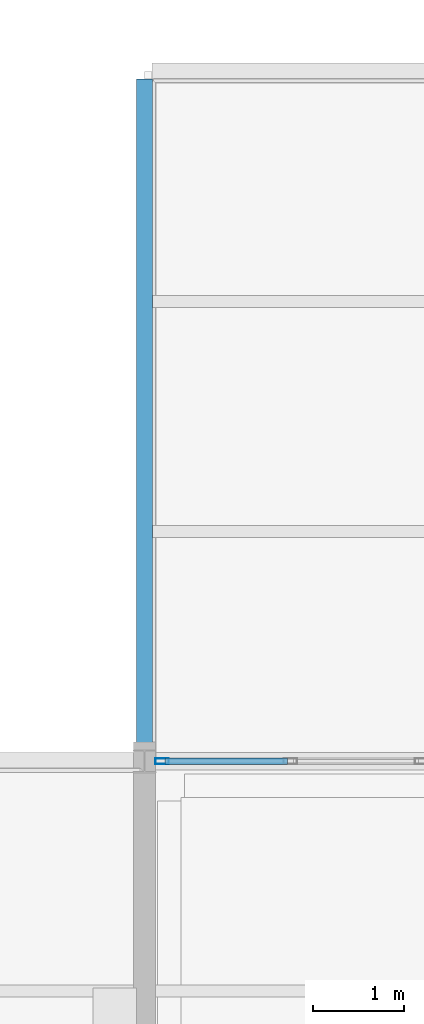
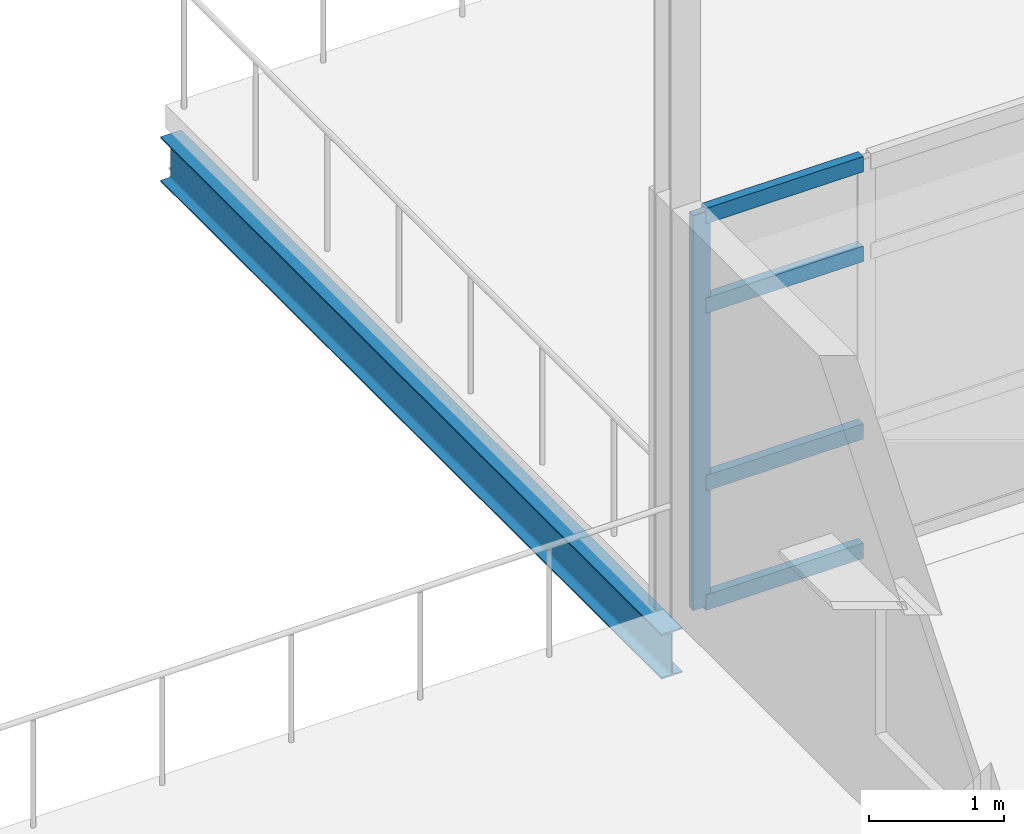
# One storey, part 31 of 96: 5 members, 1 beam, 1 element without a shape of its own.
"""IFC4 building model written with IfcOpenShell, lengths in metres."""

from ifc_helpers import new_model, si_unit, direction, frame, origin, origin_2d, place, context, subcontext, project, spatial, hollow_rectangle, i_section, extrude, material, material_profile, profile_set, type_object, element, aggregate, save


model = new_model("IFC4")

# Units and contexts
model_context = context("Model", 3, precision=1e-05, world=origin(), true_north=direction((0.0, 1.0)))
body_context = subcontext(model_context, "Body", "Model", "MODEL_VIEW")
ifc_project = project(units=[si_unit("LENGTHUNIT", "METRE"), si_unit("AREAUNIT", "SQUARE_METRE"), si_unit("VOLUMEUNIT", "CUBIC_METRE"), si_unit("PLANEANGLEUNIT", "RADIAN"), si_unit("MASSUNIT", "GRAM", prefix="KILO")], contexts=[model_context])

# Site, building, storey
site_placement = place(None, origin())
site = spatial("IfcSite", under=ifc_project, at=site_placement, CompositionType="ELEMENT")
building_placement = place(site_placement, origin())
building = spatial("IfcBuilding", under=site, at=building_placement, Name="Caisbarro Railhouse Central Library", CompositionType="ELEMENT")
storey_placement = place(building_placement, frame((0.0, 0.0, 13.679931640625)))
storey = spatial("IfcBuildingStorey", under=building, at=storey_placement, Name="L03", CompositionType="ELEMENT", Elevation=13.679931640625)

# Beam
ifc_material_1 = material(Name="Steel ASTM A572 Grade 50", Category="steel")
ifc_material_profile_1 = material_profile(ifc_material_1, i_section(OverallWidth=0.177978515625, OverallDepth=0.406982421875, WebThickness=0.0078125, FlangeThickness=0.0126953125, FilletRadius=0.01611328125, at=origin_2d()), Name="W410X60.0")
ifc_profile_set_1 = profile_set([ifc_material_profile_1], Name="Steel ASTM A572 Grade 50")
beam_type = type_object("IfcBeamType", Name="BM-G10", PredefinedType="BEAM", material=ifc_profile_set_1)
beam_placement = place(storey_placement, frame((63.0, 106.47998046875, -0.413330078125), z_axis=(0.0, 1.0, 0.0), x_axis=(-1.0, 0.0, 0.0)))
element("IfcBeam", 1, at=beam_placement, inside=storey, type_object=beam_type, Name="G10 beam L03 #1953", PredefinedType="BEAM", context=body_context, shape_type="SweptSolid", body=[
    extrude(i_section(OverallWidth=0.177978515625, OverallDepth=0.406982421875, WebThickness=0.0078125, FlangeThickness=0.0126953125, FilletRadius=0.01611328125, at=origin_2d()), origin(), (0.0, 0.0, 1.0), 7.43994140625),
])

# Curtain wall, members
ifc_material_2 = material(Name="Anodised architectural aluminium", Category="aluminium")
curtain_wall_type = type_object("IfcCurtainWallType", Name="CW-CW03", PredefinedType="NOTDEFINED", material=ifc_material_2)
curtain_wall_placement = place(storey_placement, origin())
curtain_wall = element("IfcCurtainWall", 2, at=curtain_wall_placement, inside=storey, type_object=curtain_wall_type, Name="CW03 curtain wall L03 #187", PredefinedType="NOTDEFINED")
ifc_material_profile_2 = material_profile(ifc_material_2, hollow_rectangle(XDim=0.06494140625, YDim=0.14990234375, WallThickness=0.00390625, at=origin_2d()), Name="ALU-MUL-65X150")
ifc_profile_set_2 = profile_set([ifc_material_profile_2], Name="Anodised architectural aluminium")
member_type_1 = type_object("IfcMemberType", Name="CWM-M02", PredefinedType="MULLION", material=ifc_profile_set_2)
member_1_placement = place(storey_placement, frame((63.1923828125, 106.39990234375, 0.0), z_axis=(0.0, 0.0, 1.0), x_axis=(0.0, 1.0, 0.0)))
member_1 = element("IfcMember", 3, at=member_1_placement, type_object=member_type_1, Name="CW03 mullion 1", PredefinedType="MULLION", context=body_context, shape_type="SweptSolid", body=[
    extrude(hollow_rectangle(XDim=0.06494140625, YDim=0.14990234375, WallThickness=0.00390625, at=origin_2d()), origin(), (0.0, 0.0, 1.0), 3.580078125),
])
ifc_material_profile_3 = material_profile(ifc_material_2, hollow_rectangle(XDim=0.074951171875, YDim=0.139892578125, WallThickness=0.00390625, at=origin_2d()), Name="ALU-TRN-75X140")
ifc_profile_set_3 = profile_set([ifc_material_profile_3], Name="Anodised architectural aluminium")
member_type_2 = type_object("IfcMemberType", Name="CWT-T01", PredefinedType="USERDEFINED", material=ifc_profile_set_3)
member_2_placement = place(storey_placement, frame((63.22509765625, 106.39990234375, 0.03759765625), z_axis=(1.0, 0.0, 0.0), x_axis=(0.0, 1.0, 0.0)))
member_2 = element("IfcMember", 4, at=member_2_placement, type_object=member_type_2, Name="CW03 transom 1.1", ObjectType="TRANSOM", PredefinedType="USERDEFINED", context=body_context, shape_type="SweptSolid", body=[
    extrude(hollow_rectangle(XDim=0.074951171875, YDim=0.139892578125, WallThickness=0.00390625, at=origin_2d()), origin(), (0.0, 0.0, 1.0), 1.34912109375),
])
member_3_placement = place(storey_placement, frame((63.22509765625, 106.39990234375, 1.1201171875), z_axis=(1.0, 0.0, 0.0), x_axis=(0.0, 1.0, 0.0)))
member_3 = element("IfcMember", 5, at=member_3_placement, type_object=member_type_2, Name="CW03 transom 1.2", ObjectType="TRANSOM", PredefinedType="USERDEFINED", context=body_context, shape_type="SweptSolid", body=[
    extrude(hollow_rectangle(XDim=0.074951171875, YDim=0.139892578125, WallThickness=0.00390625, at=origin_2d()), origin(), (0.0, 0.0, 1.0), 1.34912109375),
])
member_4_placement = place(storey_placement, frame((63.22509765625, 106.39990234375, 2.72998046875), z_axis=(1.0, 0.0, 0.0), x_axis=(0.0, 1.0, 0.0)))
member_4 = element("IfcMember", 6, at=member_4_placement, type_object=member_type_2, Name="CW03 transom 1.3", ObjectType="TRANSOM", PredefinedType="USERDEFINED", context=body_context, shape_type="SweptSolid", body=[
    extrude(hollow_rectangle(XDim=0.074951171875, YDim=0.139892578125, WallThickness=0.00390625, at=origin_2d()), origin(), (0.0, 0.0, 1.0), 1.34912109375),
])
member_5_placement = place(storey_placement, frame((63.22509765625, 106.39990234375, 3.54248046875), z_axis=(1.0, 0.0, 0.0), x_axis=(0.0, 1.0, 0.0)))
member_5 = element("IfcMember", 7, at=member_5_placement, type_object=member_type_2, Name="CW03 transom 1.4", ObjectType="TRANSOM", PredefinedType="USERDEFINED", context=body_context, shape_type="SweptSolid", body=[
    extrude(hollow_rectangle(XDim=0.074951171875, YDim=0.139892578125, WallThickness=0.00390625, at=origin_2d()), origin(), (0.0, 0.0, 1.0), 1.34912109375),
])
aggregate(curtain_wall, [member_1, member_2, member_3, member_4, member_5])

save(model, "model.ifc")
